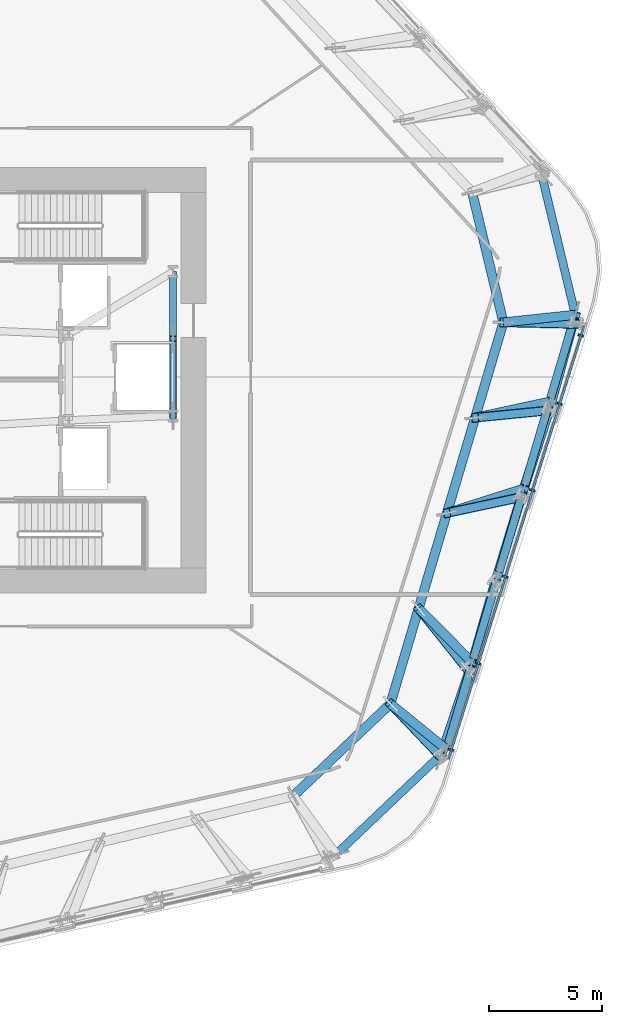
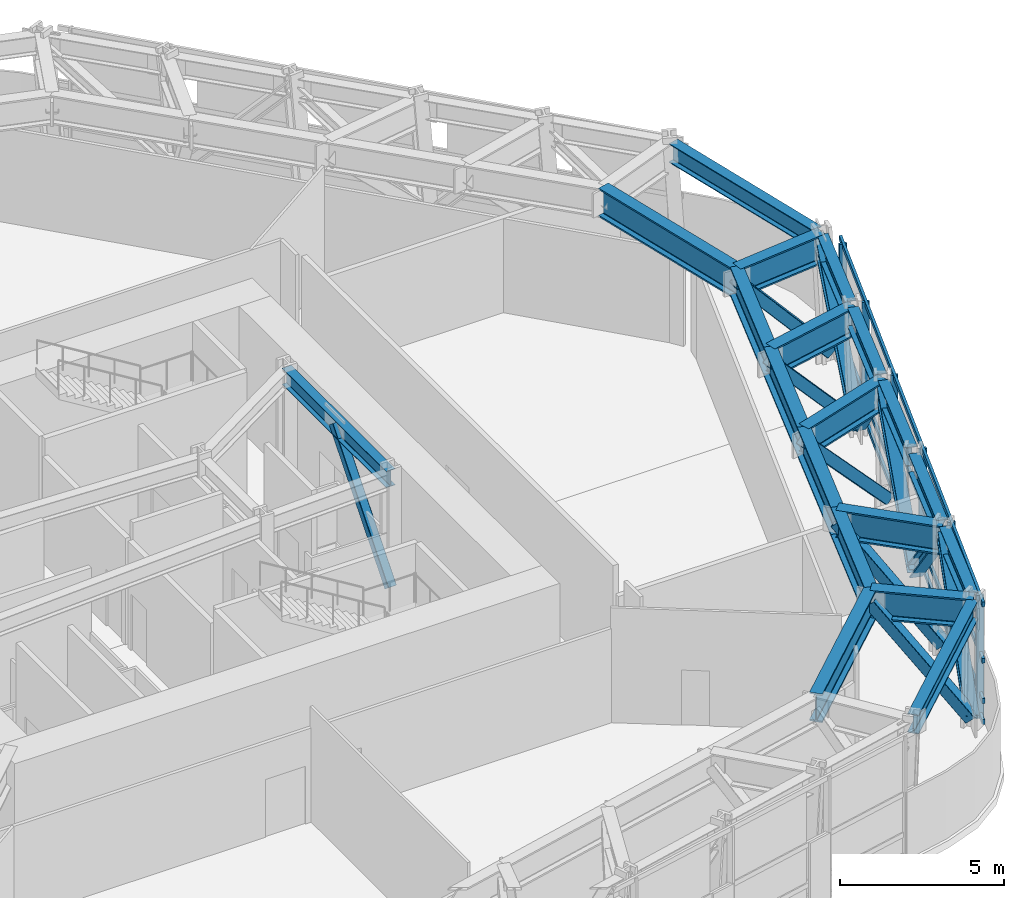
# One storey, part 4 of 16: 21 members, 19 beams, 1 element without a shape of its own.
"""IFC4 building model written with IfcOpenShell, lengths in metres."""

from ifc_helpers import new_model, si_unit, direction, frame, origin, origin_2d, place, context, subcontext, project, spatial, rectangle, hollow_rectangle, i_section, extrude, material, layer, layer_set, material_profile, profile_set, type_object, element, aggregate, save


model = new_model("IFC4")

# Units and contexts
model_context = context("Model", 3, precision=1e-05, world=origin(), true_north=direction((0.0, 1.0)))
body_context = subcontext(model_context, "Body", "Model", "MODEL_VIEW")
ifc_project = project(units=[si_unit("LENGTHUNIT", "METRE"), si_unit("AREAUNIT", "SQUARE_METRE"), si_unit("VOLUMEUNIT", "CUBIC_METRE"), si_unit("PLANEANGLEUNIT", "RADIAN"), si_unit("MASSUNIT", "GRAM", prefix="KILO")], contexts=[model_context])

# Site, building, storey
site_placement = place(None, origin())
site = spatial("IfcSite", under=ifc_project, at=site_placement, CompositionType="ELEMENT")
building_placement = place(site_placement, origin())
building = spatial("IfcBuilding", under=site, at=building_placement, Name="Valkerne Bourse Tower", CompositionType="ELEMENT")
storey_placement = place(building_placement, frame((0.0, 0.0, 77.199951171875)))
storey = spatial("IfcBuildingStorey", under=building, at=storey_placement, Name="L19", CompositionType="ELEMENT", Elevation=77.199951171875)

# Beams
ifc_material_1 = material(Name="Steel ASTM A992", Category="steel")
ifc_material_profile_1 = material_profile(ifc_material_1, i_section(OverallWidth=0.3251953125, OverallDepth=0.612060546875, WebThickness=0.0126953125, FlangeThickness=0.01904296875, FilletRadius=0.020263671875, at=origin_2d()), Name="W24X104")
ifc_profile_set_1 = profile_set([ifc_material_profile_1], Name="Steel ASTM A992")
beam_type_1 = type_object("IfcBeamType", Name="BM-W24X104", PredefinedType="BEAM", material=ifc_profile_set_1)
beam_1_placement = place(storey_placement, frame((54.949951171875, 25.300048828125, 4.274169921875), z_axis=(0.0, 1.0, 0.0), x_axis=(-1.0, 0.0, 0.0)))
element("IfcBeam", 1, at=beam_1_placement, inside=storey, type_object=beam_type_1, Name="L19 Core Frame Girder CG-EE", PredefinedType="BEAM", context=body_context, shape_type="SweptSolid", body=[
    extrude(i_section(OverallWidth=0.3251953125, OverallDepth=0.612060546875, WebThickness=0.0126953125, FlangeThickness=0.01904296875, FilletRadius=0.020263671875, at=origin_2d()), origin(), (0.0, 0.0, 1.0), 6.349853515625),
])
ifc_material_profile_2 = material_profile(ifc_material_1, i_section(OverallWidth=0.358154296875, OverallDepth=0.7060546875, WebThickness=0.018310546875, FlangeThickness=0.0302734375, FilletRadius=0.02294921875, at=origin_2d()), Name="W27X178")
ifc_profile_set_2 = profile_set([ifc_material_profile_2], Name="Steel ASTM A992")
beam_type_2 = type_object("IfcBeamType", Name="BM-W27X178", PredefinedType="SPANDREL", material=ifc_profile_set_2)
beam_2_placement = place(storey_placement, frame((62.24755859375, 6.080810546875, 4.22705078125), z_axis=(0.725340892779, 0.688389852672, 0.0), x_axis=(-0.688389852672, 0.725340892779, 0.0)))
element("IfcBeam", 2, at=beam_2_placement, inside=storey, type_object=beam_type_2, Name="L19 Hexagonal Spandrel Ring Beam 29", PredefinedType="SPANDREL", context=body_context, shape_type="SweptSolid", body=[
    extrude(i_section(OverallWidth=0.358154296875, OverallDepth=0.7060546875, WebThickness=0.018310546875, FlangeThickness=0.0302734375, FilletRadius=0.02294921875, at=origin_2d()), origin(), (0.0, 0.0, 1.0), 6.38916015625),
])
beam_3_placement = place(storey_placement, frame((67.053466796875, 10.7587890625, 4.22705078125), z_axis=(0.283995112466, 0.958825727698, 0.0), x_axis=(-0.958825727698, 0.283995112466, 0.0)))
element("IfcBeam", 3, at=beam_3_placement, inside=storey, type_object=beam_type_2, Name="L19 Hexagonal Spandrel Ring Beam 30", PredefinedType="SPANDREL", context=body_context, shape_type="SweptSolid", body=[
    extrude(i_section(OverallWidth=0.358154296875, OverallDepth=0.7060546875, WebThickness=0.018310546875, FlangeThickness=0.0302734375, FilletRadius=0.02294921875, at=origin_2d()), origin(), (0.0, 0.0, 1.0), 3.65625),
])
for number, where, z_axis, x_axis, name in (
    (4, (68.1884765625, 14.59033203125, 4.22705078125), (0.2840132966, 0.958820341542, 0.0), (-0.958820341542, 0.2840132966, 0.0), "L19 Hexagonal Spandrel Ring Beam 31"),
    (5, (69.323486328125, 18.421875, 4.22705078125), (0.2840132966, 0.958820341542, 0.0), (-0.958820341542, 0.2840132966, 0.0), "L19 Hexagonal Spandrel Ring Beam 32"),
):
    element("IfcBeam", number, at=place(storey_placement, frame(where, z_axis=z_axis, x_axis=x_axis)), inside=storey, type_object=beam_type_2, Name=name, PredefinedType="SPANDREL", context=body_context, shape_type="SweptSolid", body=[
        extrude(i_section(OverallWidth=0.358154296875, OverallDepth=0.7060546875, WebThickness=0.018310546875, FlangeThickness=0.0302734375, FilletRadius=0.02294921875, at=origin_2d()), origin(), (0.0, 0.0, 1.0), 3.656005859375),
    ])
beam_4_placement = place(storey_placement, frame((70.458251953125, 22.253173828125, 4.22705078125), z_axis=(0.283995112466, 0.958825727698, 0.0), x_axis=(-0.958825727698, 0.283995112466, 0.0)))
element("IfcBeam", 6, at=beam_4_placement, inside=storey, type_object=beam_type_2, Name="L19 Hexagonal Spandrel Ring Beam 33", PredefinedType="SPANDREL", context=body_context, shape_type="SweptSolid", body=[
    extrude(i_section(OverallWidth=0.358154296875, OverallDepth=0.7060546875, WebThickness=0.018310546875, FlangeThickness=0.0302734375, FilletRadius=0.02294921875, at=origin_2d()), origin(), (0.0, 0.0, 1.0), 3.65625),
])
beam_5_placement = place(storey_placement, frame((71.59326171875, 26.084716796875, 4.22705078125), z_axis=(0.2840132966, 0.958820341542, 0.0), x_axis=(-0.958820341542, 0.2840132966, 0.0)))
element("IfcBeam", 7, at=beam_5_placement, inside=storey, type_object=beam_type_2, Name="L19 Hexagonal Spandrel Ring Beam 34", PredefinedType="SPANDREL", context=body_context, shape_type="SweptSolid", body=[
    extrude(i_section(OverallWidth=0.358154296875, OverallDepth=0.7060546875, WebThickness=0.018310546875, FlangeThickness=0.0302734375, FilletRadius=0.02294921875, at=origin_2d()), origin(), (0.0, 0.0, 1.0), 3.656005859375),
])
beam_6_placement = place(storey_placement, frame((72.64013671875, 29.91845703125, 4.22705078125), z_axis=(-0.233443770368, 0.972370302959, 0.0), x_axis=(-0.972370302959, -0.233443770368, 0.0)))
element("IfcBeam", 8, at=beam_6_placement, inside=storey, type_object=beam_type_2, Name="L19 Hexagonal Spandrel Ring Beam 35", PredefinedType="SPANDREL", context=body_context, shape_type="SweptSolid", body=[
    extrude(i_section(OverallWidth=0.358154296875, OverallDepth=0.7060546875, WebThickness=0.018310546875, FlangeThickness=0.0302734375, FilletRadius=0.02294921875, at=origin_2d()), origin(), (0.0, 0.0, 1.0), 6.388916015625),
])
ifc_material_2 = material(Name="Steel ASTM A913 Grade 65", Category="steel")
ifc_material_profile_3 = material_profile(ifc_material_2, i_section(OverallWidth=0.408935546875, OverallDepth=1.06689453125, WebThickness=0.031005859375, FlangeThickness=0.055908203125, FilletRadius=0.030517578125, at=origin_2d()), Name="W40X397")
ifc_profile_set_3 = profile_set([ifc_material_profile_3], Name="Steel ASTM A913 Grade 65")
beam_type_3 = type_object("IfcBeamType", Name="BM-W40X397", PredefinedType="BEAM", material=ifc_profile_set_3)
beam_7_placement = place(storey_placement, frame((60.24658203125, 8.541259765625, 4.046630859375), z_axis=(0.725367875728, 0.688361420231, 0.0), x_axis=(-0.688361420231, 0.725367875728, 0.0)))
element("IfcBeam", 9, at=beam_7_placement, inside=storey, type_object=beam_type_3, Name="L19 Setback Ring Transfer Girder 24", PredefinedType="BEAM", context=body_context, shape_type="SweptSolid", body=[
    extrude(i_section(OverallWidth=0.408935546875, OverallDepth=1.06689453125, WebThickness=0.031005859375, FlangeThickness=0.055908203125, FilletRadius=0.030517578125, at=origin_2d()), origin(), (0.0, 0.0, 1.0), 5.904541015625),
])
beam_8_placement = place(storey_placement, frame((67.005126953125, 10.595947265625, 4.046630859375), z_axis=(-0.776366871687, 0.630281270979, 0.0), x_axis=(-0.630281270979, -0.776366871687, 0.0)))
element("IfcBeam", 10, at=beam_8_placement, inside=storey, type_object=beam_type_3, Name="L19 Radial Setback Transfer Girder Out 25", PredefinedType="BEAM", context=body_context, shape_type="SweptSolid", body=[
    extrude(i_section(OverallWidth=0.408935546875, OverallDepth=1.06689453125, WebThickness=0.031005859375, FlangeThickness=0.055908203125, FilletRadius=0.030517578125, at=origin_2d()), origin(), (0.0, 0.0, 1.0), 3.188720703125),
])
beam_9_placement = place(storey_placement, frame((64.529541015625, 12.605712890625, 4.046630859375), z_axis=(0.284014366534, 0.958820024615, 0.0), x_axis=(-0.958820024615, 0.284014366534, 0.0)))
element("IfcBeam", 11, at=beam_9_placement, inside=storey, type_object=beam_type_3, Name="L19 Setback Ring Transfer Girder 25", PredefinedType="BEAM", context=body_context, shape_type="SweptSolid", body=[
    extrude(i_section(OverallWidth=0.408935546875, OverallDepth=1.06689453125, WebThickness=0.031005859375, FlangeThickness=0.055908203125, FilletRadius=0.030517578125, at=origin_2d()), origin(), (0.0, 0.0, 1.0), 4.383056640625),
])
beam_10_placement = place(storey_placement, frame((68.14013671875, 14.42724609375, 4.046630859375), z_axis=(-0.704811885056, 0.709394253349, 0.0), x_axis=(-0.709394253349, -0.704811885056, 0.0)))
element("IfcBeam", 12, at=beam_10_placement, inside=storey, type_object=beam_type_3, Name="L19 Radial Setback Transfer Girder Out 26", PredefinedType="BEAM", context=body_context, shape_type="SweptSolid", body=[
    extrude(i_section(OverallWidth=0.408935546875, OverallDepth=1.06689453125, WebThickness=0.031005859375, FlangeThickness=0.055908203125, FilletRadius=0.030517578125, at=origin_2d()), origin(), (0.0, 0.0, 1.0), 3.3564453125),
])
beam_11_placement = place(storey_placement, frame((65.7744140625, 16.808349609375, 4.046630859375), z_axis=(0.284029535461, 0.95881553126, 0.0), x_axis=(-0.95881553126, 0.284029535461, 0.0)))
element("IfcBeam", 13, at=beam_11_placement, inside=storey, type_object=beam_type_3, Name="L19 Setback Ring Transfer Girder 26", PredefinedType="BEAM", context=body_context, shape_type="SweptSolid", body=[
    extrude(i_section(OverallWidth=0.408935546875, OverallDepth=1.06689453125, WebThickness=0.031005859375, FlangeThickness=0.055908203125, FilletRadius=0.030517578125, at=origin_2d()), origin(), (0.0, 0.0, 1.0), 4.3828125),
])
beam_12_placement = place(storey_placement, frame((70.409912109375, 22.090087890625, 4.046630859375), z_axis=(-0.952884320669, -0.303333927252, 0.0), x_axis=(0.303333927252, -0.952884320669, 0.0)))
element("IfcBeam", 14, at=beam_12_placement, inside=storey, type_object=beam_type_3, Name="L19 Radial Setback Transfer Girder Out 27", PredefinedType="BEAM", context=body_context, shape_type="SweptSolid", body=[
    extrude(i_section(OverallWidth=0.408935546875, OverallDepth=1.06689453125, WebThickness=0.031005859375, FlangeThickness=0.055908203125, FilletRadius=0.030517578125, at=origin_2d()), origin(), (0.0, 0.0, 1.0), 3.558349609375),
])
beam_13_placement = place(storey_placement, frame((67.019287109375, 21.0107421875, 4.046630859375), z_axis=(0.284014366534, 0.958820024615, 0.0), x_axis=(-0.958820024615, 0.284014366534, 0.0)))
element("IfcBeam", 15, at=beam_13_placement, inside=storey, type_object=beam_type_3, Name="L19 Setback Ring Transfer Girder 27", PredefinedType="BEAM", context=body_context, shape_type="SweptSolid", body=[
    extrude(i_section(OverallWidth=0.408935546875, OverallDepth=1.06689453125, WebThickness=0.031005859375, FlangeThickness=0.055908203125, FilletRadius=0.030517578125, at=origin_2d()), origin(), (0.0, 0.0, 1.0), 4.383056640625),
])
beam_14_placement = place(storey_placement, frame((71.544921875, 25.921630859375, 4.046630859375), z_axis=(-0.977481931458, -0.211019131058, 0.0), x_axis=(0.211019131058, -0.977481931458, 0.0)))
element("IfcBeam", 16, at=beam_14_placement, inside=storey, type_object=beam_type_3, Name="L19 Radial Setback Transfer Girder Out 28", PredefinedType="BEAM", context=body_context, shape_type="SweptSolid", body=[
    extrude(i_section(OverallWidth=0.408935546875, OverallDepth=1.06689453125, WebThickness=0.031005859375, FlangeThickness=0.055908203125, FilletRadius=0.030517578125, at=origin_2d()), origin(), (0.0, 0.0, 1.0), 3.3564453125),
])
beam_15_placement = place(storey_placement, frame((68.26416015625, 25.21337890625, 4.046630859375), z_axis=(0.284029535461, 0.95881553126, 0.0), x_axis=(-0.95881553126, 0.284029535461, 0.0)))
element("IfcBeam", 17, at=beam_15_placement, inside=storey, type_object=beam_type_3, Name="L19 Setback Ring Transfer Girder 28", PredefinedType="BEAM", context=body_context, shape_type="SweptSolid", body=[
    extrude(i_section(OverallWidth=0.408935546875, OverallDepth=1.06689453125, WebThickness=0.031005859375, FlangeThickness=0.055908203125, FilletRadius=0.030517578125, at=origin_2d()), origin(), (0.0, 0.0, 1.0), 4.3828125),
])
beam_16_placement = place(storey_placement, frame((72.679931640625, 29.753173828125, 4.046630859375), z_axis=(-0.994386513937, -0.10580860504, 0.0), x_axis=(0.10580860504, -0.994386513937, 0.0)))
element("IfcBeam", 18, at=beam_16_placement, inside=storey, type_object=beam_type_3, Name="L19 Radial Setback Transfer Girder Out 29", PredefinedType="BEAM", context=body_context, shape_type="SweptSolid", body=[
    extrude(i_section(OverallWidth=0.408935546875, OverallDepth=1.06689453125, WebThickness=0.031005859375, FlangeThickness=0.055908203125, FilletRadius=0.030517578125, at=origin_2d()), origin(), (0.0, 0.0, 1.0), 3.188720703125),
])
beam_17_placement = place(storey_placement, frame((69.509033203125, 29.415771484375, 4.046630859375), z_axis=(-0.23344801533, 0.972369283831, 0.0), x_axis=(-0.972369283831, -0.23344801533, 0.0)))
element("IfcBeam", 19, at=beam_17_placement, inside=storey, type_object=beam_type_3, Name="L19 Setback Ring Transfer Girder 29", PredefinedType="BEAM", context=body_context, shape_type="SweptSolid", body=[
    extrude(i_section(OverallWidth=0.408935546875, OverallDepth=1.06689453125, WebThickness=0.031005859375, FlangeThickness=0.055908203125, FilletRadius=0.030517578125, at=origin_2d()), origin(), (0.0, 0.0, 1.0), 5.904541015625),
])

# Curtain wall, members
ifc_material_3 = material(Name="Aluminium AA 6063-T6", Category="aluminium")
ifc_layer = layer(ifc_material_3, 0.25)
ifc_layer_set = layer_set([ifc_layer], Name="Aluminium AA 6063-T6")
curtain_wall_type = type_object("IfcCurtainWallType", Name="CW-06", PredefinedType="NOTDEFINED", material=ifc_layer_set)
curtain_wall_placement = place(storey_placement, origin())
curtain_wall = element("IfcCurtainWall", 20, at=curtain_wall_placement, inside=storey, type_object=curtain_wall_type, Name="L19 Hexagonal Stick Curtain Wall Face 6", PredefinedType="NOTDEFINED")
ifc_material_profile_4 = material_profile(ifc_material_3, rectangle(XDim=0.090087890625, YDim=0.239990234375, at=origin_2d()), Name="CWM-90X240")
ifc_profile_set_4 = profile_set([ifc_material_profile_4], Name="Aluminium AA 6063-T6")
member_type_1 = type_object("IfcMemberType", Name="CW-MUL-240X90", PredefinedType="MULLION", material=ifc_profile_set_4)
member_1_placement = place(storey_placement, frame((67.195068359375, 10.57958984375, 0.0), z_axis=(0.0, 0.0, 1.0), x_axis=(0.299021549829, 0.954246358514, 0.0)))
member_1 = element("IfcMember", 21, at=member_1_placement, type_object=member_type_1, Name="CW-L19-F6 Jamb Mullion 00A", PredefinedType="MULLION", context=body_context, shape_type="SweptSolid", body=[
    extrude(rectangle(XDim=0.090087890625, YDim=0.239990234375, at=origin_2d()), origin(), (0.0, 0.0, 1.0), 4.580078125),
])
member_2_placement = place(storey_placement, frame((68.389892578125, 14.392822265625, 0.0), z_axis=(0.0, 0.0, 1.0), x_axis=(0.299051478001, 0.954236979741, 0.0)))
member_2 = element("IfcMember", 22, at=member_2_placement, type_object=member_type_1, Name="CW-L19-F6 Jamb Mullion 01A", PredefinedType="MULLION", context=body_context, shape_type="SweptSolid", body=[
    extrude(rectangle(XDim=0.090087890625, YDim=0.239990234375, at=origin_2d()), origin(), (0.0, 0.0, 1.0), 4.580078125),
])
member_3_placement = place(storey_placement, frame((69.5849609375, 18.205810546875, 0.0), z_axis=(0.0, 0.0, 1.0), x_axis=(0.299044336827, 0.954239217708, 0.0)))
member_3 = element("IfcMember", 23, at=member_3_placement, type_object=member_type_1, Name="CW-L19-F6 Jamb Mullion 02A", PredefinedType="MULLION", context=body_context, shape_type="SweptSolid", body=[
    extrude(rectangle(XDim=0.090087890625, YDim=0.239990234375, at=origin_2d()), origin(), (0.0, 0.0, 1.0), 4.580078125),
])
member_4_placement = place(storey_placement, frame((70.780029296875, 22.01904296875, 0.0), z_axis=(0.0, 0.0, 1.0), x_axis=(0.299028690574, 0.954244120869, 0.0)))
member_4 = element("IfcMember", 24, at=member_4_placement, type_object=member_type_1, Name="CW-L19-F6 Jamb Mullion 03A", PredefinedType="MULLION", context=body_context, shape_type="SweptSolid", body=[
    extrude(rectangle(XDim=0.090087890625, YDim=0.239990234375, at=origin_2d()), origin(), (0.0, 0.0, 1.0), 4.580078125),
])
member_5_placement = place(storey_placement, frame((71.974853515625, 25.832275390625, 0.0), z_axis=(0.0, 0.0, 1.0), x_axis=(0.299044336827, 0.954239217708, 0.0)))
member_5 = element("IfcMember", 25, at=member_5_placement, type_object=member_type_1, Name="CW-L19-F6 Jamb Mullion 04A", PredefinedType="MULLION", context=body_context, shape_type="SweptSolid", body=[
    extrude(rectangle(XDim=0.090087890625, YDim=0.239990234375, at=origin_2d()), origin(), (0.0, 0.0, 1.0), 4.580078125),
])
member_6_placement = place(storey_placement, frame((72.918701171875, 28.84375, 0.0), z_axis=(0.0, 0.0, 1.0), x_axis=(0.299044336827, 0.954239217708, 0.0)))
member_6 = element("IfcMember", 26, at=member_6_placement, type_object=member_type_1, Name="CW-L19-F6 Jamb Mullion 04B", PredefinedType="MULLION", context=body_context, shape_type="SweptSolid", body=[
    extrude(rectangle(XDim=0.090087890625, YDim=0.239990234375, at=origin_2d()), origin(), (0.0, 0.0, 1.0), 4.580078125),
])
ifc_material_profile_5 = material_profile(ifc_material_3, rectangle(XDim=0.090087890625, YDim=0.179931640625, at=origin_2d()), Name="CWT-90X180")
ifc_profile_set_5 = profile_set([ifc_material_profile_5], Name="Aluminium AA 6063-T6")
member_type_2 = type_object("IfcMemberType", Name="CW-TRN-180X90", PredefinedType="USERDEFINED", material=ifc_profile_set_5)
member_7_placement = place(storey_placement, frame((67.088623046875, 10.1728515625, 0.1201171875), z_axis=(0.299042319384, 0.954239849942, 0.0), x_axis=(-0.954239849942, 0.299042319384, 0.0)))
member_7 = element("IfcMember", 27, at=member_7_placement, type_object=member_type_2, Name="CW-L19-F6 Continuous Face Transom 1", ObjectType="TRANSOM", PredefinedType="USERDEFINED", context=body_context, shape_type="SweptSolid", body=[
    extrude(rectangle(XDim=0.090087890625, YDim=0.179931640625, at=origin_2d()), origin(), (0.0, 0.0, 1.0), 19.97998046875),
])
member_8_placement = place(storey_placement, frame((67.088623046875, 10.1728515625, 0.900146484375), z_axis=(0.299042319384, 0.954239849942, 0.0), x_axis=(-0.954239849942, 0.299042319384, 0.0)))
member_8 = element("IfcMember", 28, at=member_8_placement, type_object=member_type_2, Name="CW-L19-F6 Continuous Face Transom 2", ObjectType="TRANSOM", PredefinedType="USERDEFINED", context=body_context, shape_type="SweptSolid", body=[
    extrude(rectangle(XDim=0.090087890625, YDim=0.179931640625, at=origin_2d()), origin(), (0.0, 0.0, 1.0), 19.97998046875),
])
member_9_placement = place(storey_placement, frame((67.088623046875, 10.1728515625, 2.400146484375), z_axis=(0.299042319384, 0.954239849942, 0.0), x_axis=(-0.954239849942, 0.299042319384, 0.0)))
member_9 = element("IfcMember", 29, at=member_9_placement, type_object=member_type_2, Name="CW-L19-F6 Continuous Face Transom 3", ObjectType="TRANSOM", PredefinedType="USERDEFINED", context=body_context, shape_type="SweptSolid", body=[
    extrude(rectangle(XDim=0.090087890625, YDim=0.179931640625, at=origin_2d()), origin(), (0.0, 0.0, 1.0), 19.97998046875),
])
member_10_placement = place(storey_placement, frame((67.088623046875, 10.1728515625, 4.5), z_axis=(0.299042319384, 0.954239849942, 0.0), x_axis=(-0.954239849942, 0.299042319384, 0.0)))
member_10 = element("IfcMember", 30, at=member_10_placement, type_object=member_type_2, Name="CW-L19-F6 Continuous Face Transom 4", ObjectType="TRANSOM", PredefinedType="USERDEFINED", context=body_context, shape_type="SweptSolid", body=[
    extrude(rectangle(XDim=0.090087890625, YDim=0.179931640625, at=origin_2d()), origin(), (0.0, 0.0, 1.0), 19.97998046875),
])
aggregate(curtain_wall, [member_7, member_8, member_9, member_10, member_1, member_2, member_3, member_4, member_5, member_6])

# Members
ifc_material_4 = material(Name="Steel ASTM A500 Grade C", Category="steel")
ifc_material_profile_6 = material_profile(ifc_material_4, hollow_rectangle(XDim=0.300048828125, YDim=0.300048828125, WallThickness=0.012451171875, OuterFilletRadius=0.02490234375, at=origin_2d()), Name="HSS300X300X12.5")
ifc_profile_set_6 = profile_set([ifc_material_profile_6], Name="Steel ASTM A500 Grade C")
member_type_3 = type_object("IfcMemberType", Name="MBR-HSS300X300X12.5", PredefinedType="STRUT", material=ifc_profile_set_6)
member_11_placement = place(storey_placement, frame((54.949951171875, 25.300048828125, 0.219970703125), z_axis=(0.0, 0.642568571529, 0.766228184605), x_axis=(-1.0, 0.0, 0.0)))
element("IfcMember", 31, at=member_11_placement, inside=storey, type_object=member_type_3, Name="L19 Core Service Pier Lateral Brace", PredefinedType="STRUT", context=body_context, shape_type="SweptSolid", body=[
    extrude(hollow_rectangle(XDim=0.300048828125, YDim=0.300048828125, WallThickness=0.012451171875, OuterFilletRadius=0.02490234375, at=origin_2d()), origin(), (0.0, 0.0, 1.0), 5.291015625),
])
ifc_material_profile_7 = material_profile(ifc_material_4, hollow_rectangle(XDim=0.39990234375, YDim=0.39990234375, WallThickness=0.01611328125, OuterFilletRadius=0.031982421875, at=origin_2d()), Name="HSS400X400X16")
ifc_profile_set_7 = profile_set([ifc_material_profile_7], Name="Steel ASTM A500 Grade C")
member_type_4 = type_object("IfcMemberType", Name="MBR-HSS400X400X16", PredefinedType="BRACE", material=ifc_profile_set_7)
member_12_placement = place(storey_placement, frame((66.7451171875, 10.280517578125, 0.35009765625), z_axis=(-0.452444273796, 0.474829670923, 0.754871487553), x_axis=(-0.723966174501, -0.689835471818, 0.0)))
element("IfcMember", 32, at=member_12_placement, inside=storey, type_object=member_type_4, Name="L19 Setback Outrigger Knee Strut 25", PredefinedType="BRACE", context=body_context, shape_type="SweptSolid", body=[
    extrude(hollow_rectangle(XDim=0.39990234375, YDim=0.39990234375, WallThickness=0.01611328125, OuterFilletRadius=0.031982421875, at=origin_2d()), origin(), (0.0, 0.0, 1.0), 4.89697265625),
])
member_13_placement = place(storey_placement, frame((67.93994140625, 14.09375, 0.35009765625), z_axis=(-0.426976094015, 0.53523643623, 0.728843860145), x_axis=(-0.781732311404, -0.623614138155, 0.0)))
element("IfcMember", 33, at=member_13_placement, inside=storey, type_object=member_type_4, Name="L19 Setback Outrigger Knee Strut 26", PredefinedType="BRACE", context=body_context, shape_type="SweptSolid", body=[
    extrude(hollow_rectangle(XDim=0.39990234375, YDim=0.39990234375, WallThickness=0.01611328125, OuterFilletRadius=0.031982421875, at=origin_2d()), origin(), (0.0, 0.0, 1.0), 5.07177734375),
])
member_14_placement = place(storey_placement, frame((70.330078125, 21.719970703125, 0.35009765625), z_axis=(-0.660460361023, -0.141481996075, 0.737410981952), x_axis=(0.209465073096, -0.977816129522, 0.0)))
element("IfcMember", 34, at=member_14_placement, inside=storey, type_object=member_type_4, Name="L19 Setback Outrigger Knee Strut 27", PredefinedType="BRACE", context=body_context, shape_type="SweptSolid", body=[
    extrude(hollow_rectangle(XDim=0.39990234375, YDim=0.39990234375, WallThickness=0.01611328125, OuterFilletRadius=0.031982421875, at=origin_2d()), origin(), (0.0, 0.0, 1.0), 5.012939453125),
])
member_15_placement = place(storey_placement, frame((71.52490234375, 25.533203125, 0.35009765625), z_axis=(-0.660130339935, -0.06474773475, 0.748355306751), x_axis=(0.097614839084, -0.995224267786, 0.0)))
element("IfcMember", 35, at=member_15_placement, inside=storey, type_object=member_type_4, Name="L19 Setback Outrigger Knee Strut 28", PredefinedType="BRACE", context=body_context, shape_type="SweptSolid", body=[
    extrude(hollow_rectangle(XDim=0.39990234375, YDim=0.39990234375, WallThickness=0.01611328125, OuterFilletRadius=0.031982421875, at=origin_2d()), origin(), (0.0, 0.0, 1.0), 4.939453125),
])
member_16_placement = place(storey_placement, frame((72.719970703125, 29.34619140625, 0.35009765625), z_axis=(-0.655712453492, 0.014209097418, 0.754876996527), x_axis=(-0.02166462203, -0.999765294533, 0.0)))
element("IfcMember", 36, at=member_16_placement, inside=storey, type_object=member_type_4, Name="L19 Setback Outrigger Knee Strut 29", PredefinedType="BRACE", context=body_context, shape_type="SweptSolid", body=[
    extrude(hollow_rectangle(XDim=0.39990234375, YDim=0.39990234375, WallThickness=0.01611328125, OuterFilletRadius=0.031982421875, at=origin_2d()), origin(), (0.0, 0.0, 1.0), 4.89697265625),
])
ifc_material_profile_8 = material_profile(ifc_material_2, i_section(OverallWidth=0.408935546875, OverallDepth=0.42431640625, WebThickness=0.03271484375, FlangeThickness=0.052490234375, FilletRadius=0.025390625, at=origin_2d()), Name="W14X283")
ifc_profile_set_8 = profile_set([ifc_material_profile_8], Name="Steel ASTM A913 Grade 65")
member_type_5 = type_object("IfcMemberType", Name="MBR-W14X283", PredefinedType="BRACE", material=ifc_profile_set_8)
member_17_placement = place(storey_placement, frame((66.7451171875, 10.280517578125, 0.35009765625), z_axis=(0.238560998772, 0.709128205135, 0.663495168443), x_axis=(-0.947803559758, 0.31885484489, 0.0)))
element("IfcMember", 37, at=member_17_placement, inside=storey, type_object=member_type_5, Name="L19 Perimeter Belt Truss Diagonal 30", PredefinedType="BRACE", context=body_context, shape_type="SweptSolid", body=[
    extrude(i_section(OverallWidth=0.408935546875, OverallDepth=0.42431640625, WebThickness=0.03271484375, FlangeThickness=0.052490234375, FilletRadius=0.025390625, at=origin_2d()), origin(), (0.0, 0.0, 1.0), 5.84765625),
])
member_18_placement = place(storey_placement, frame((69.135009765625, 17.90673828125, 0.35009765625), z_axis=(-0.18751131141, -0.655806431955, 0.731271106977), x_axis=(0.961470468868, -0.274908234679, 0.0)))
element("IfcMember", 38, at=member_18_placement, inside=storey, type_object=member_type_5, Name="L19 Perimeter Belt Truss Diagonal 31", PredefinedType="BRACE", context=body_context, shape_type="SweptSolid", body=[
    extrude(i_section(OverallWidth=0.408935546875, OverallDepth=0.42431640625, WebThickness=0.03271484375, FlangeThickness=0.052490234375, FilletRadius=0.025390625, at=origin_2d()), origin(), (0.0, 0.0, 1.0), 5.3056640625),
])
member_19_placement = place(storey_placement, frame((69.135009765625, 17.90673828125, 0.35009765625), z_axis=(0.218069767674, 0.715554475125, 0.663647021808), x_axis=(-0.956564964076, 0.291519243794, 0.0)))
element("IfcMember", 39, at=member_19_placement, inside=storey, type_object=member_type_5, Name="L19 Perimeter Belt Truss Diagonal 32", PredefinedType="BRACE", context=body_context, shape_type="SweptSolid", body=[
    extrude(i_section(OverallWidth=0.408935546875, OverallDepth=0.42431640625, WebThickness=0.03271484375, FlangeThickness=0.052490234375, FilletRadius=0.025390625, at=origin_2d()), origin(), (0.0, 0.0, 1.0), 5.84619140625),
])
member_20_placement = place(storey_placement, frame((71.52490234375, 25.533203125, 0.35009765625), z_axis=(-0.210144713978, -0.648931662191, 0.731250228713), x_axis=(0.951360226439, -0.308080702981, 0.0)))
element("IfcMember", 40, at=member_20_placement, inside=storey, type_object=member_type_5, Name="L19 Perimeter Belt Truss Diagonal 33", PredefinedType="BRACE", context=body_context, shape_type="SweptSolid", body=[
    extrude(i_section(OverallWidth=0.408935546875, OverallDepth=0.42431640625, WebThickness=0.03271484375, FlangeThickness=0.052490234375, FilletRadius=0.025390625, at=origin_2d()), origin(), (0.0, 0.0, 1.0), 5.305908203125),
])
member_21_placement = place(storey_placement, frame((71.52490234375, 25.533203125, 0.35009765625), z_axis=(0.197518155794, 0.721644752251, 0.66348732443), x_axis=(-0.964523905553, 0.263995521965, 0.0)))
element("IfcMember", 41, at=member_21_placement, inside=storey, type_object=member_type_5, Name="L19 Perimeter Belt Truss Diagonal 34", PredefinedType="BRACE", context=body_context, shape_type="SweptSolid", body=[
    extrude(i_section(OverallWidth=0.408935546875, OverallDepth=0.42431640625, WebThickness=0.03271484375, FlangeThickness=0.052490234375, FilletRadius=0.025390625, at=origin_2d()), origin(), (0.0, 0.0, 1.0), 5.84765625),
])

save(model, "model.ifc")
